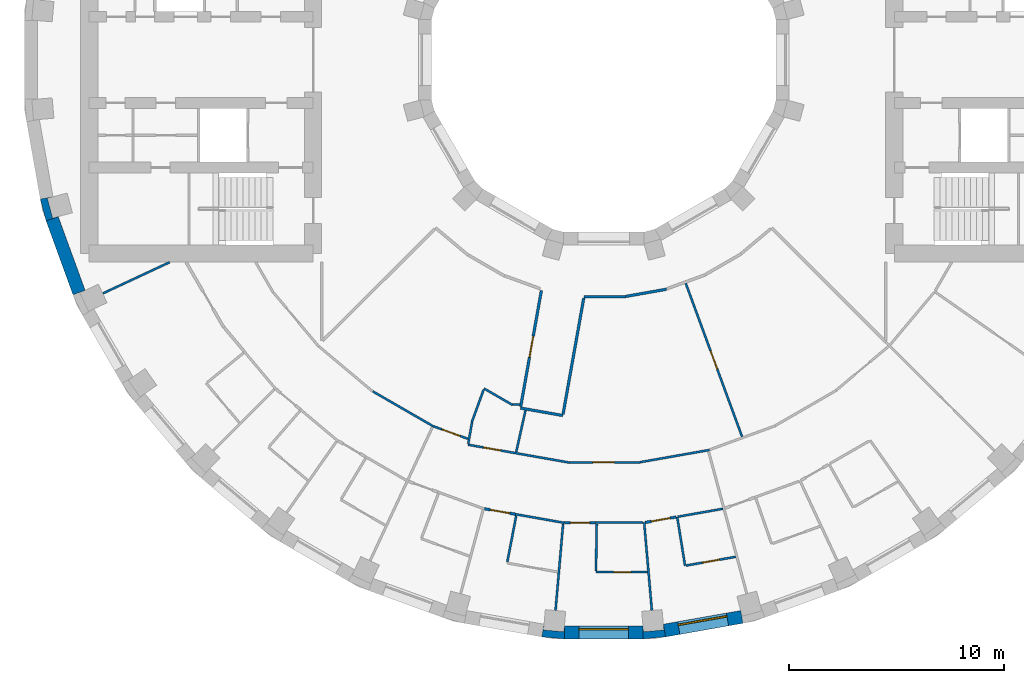
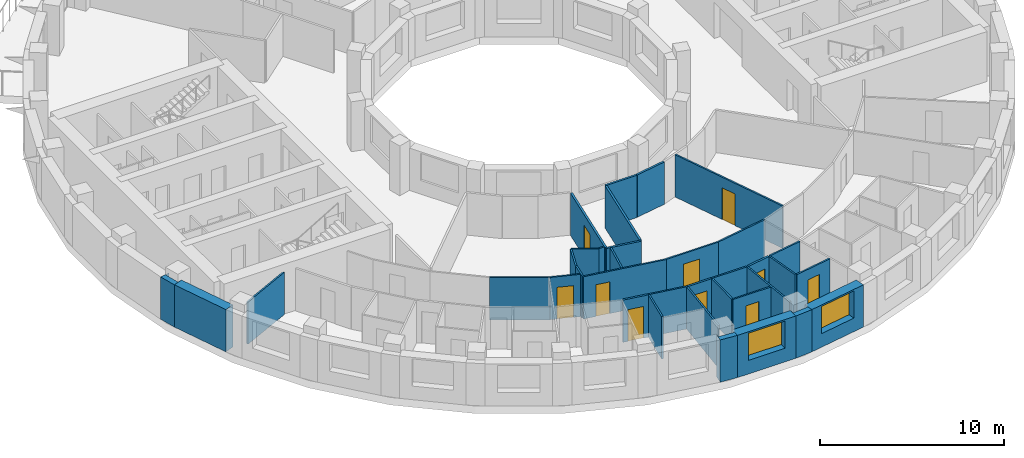
# One storey, part 5 of 14: 36 walls, 10 doors, 2 windows, 12 openings.
"""IFC4 building model written with IfcOpenShell, lengths in metres."""

from ifc_helpers import new_model, si_unit, direction, frame, frame_2d, origin, place, context, subcontext, project, spatial, polyline, rectangle, outline, extrude, material, layer, layer_set, type_object, element, fill, save


model = new_model("IFC4")

# Units and contexts
model_context = context("Model", 3, precision=1e-05, world=origin(), true_north=direction((0.0, 1.0)))
body_context = subcontext(model_context, "Body", "Model", "MODEL_VIEW")
ifc_project = project(units=[si_unit("LENGTHUNIT", "METRE"), si_unit("AREAUNIT", "SQUARE_METRE"), si_unit("VOLUMEUNIT", "CUBIC_METRE"), si_unit("PLANEANGLEUNIT", "RADIAN"), si_unit("MASSUNIT", "GRAM", prefix="KILO")], contexts=[model_context])

# Site, building, storey
site_placement = place(None, origin())
site = spatial("IfcSite", under=ifc_project, at=site_placement, CompositionType="ELEMENT")
building_placement = place(site_placement, origin())
building = spatial("IfcBuilding", under=site, at=building_placement, Name="Saqina Gate Tower", CompositionType="ELEMENT")
storey_placement = place(building_placement, frame((0.0, 0.0, 98.5)))
storey = spatial("IfcBuildingStorey", under=building, at=storey_placement, Name="L27", CompositionType="ELEMENT", Elevation=98.5)

# Walls
ifc_material_1 = material(Name="Brick masonry (buff)", Category="masonry")
wall_type_1 = type_object("IfcWallType", Name="BRICK PIER COPING BUFF", PredefinedType="SOLIDWALL", material=ifc_material_1)
wall_1_placement = place(storey_placement, origin())
element("IfcWall", 1, at=wall_1_placement, inside=storey, type_object=wall_type_1, Name="Pier cap L27 column 20", PredefinedType="SOLIDWALL", context=body_context, shape_type="SweptSolid", body=[
    extrude(outline(polyline([(-26.171875, -6.466796875), (-25.89892578125, -7.485595703125), (-25.335205078125, -7.2802734375), (-25.5947265625, -7.349853515625), (-25.8408203125, -6.43212890625), (-25.5810546875, -6.36279296875), (-26.171875, -6.466796875)])), origin(), (0.0, 0.0, 1.0), 2.800048828125),
])
wall_2_placement = place(storey_placement, origin())
element("IfcWall", 2, at=wall_2_placement, inside=storey, type_object=wall_type_1, Name="Pier cap L27 column 27", PredefinedType="SOLIDWALL", context=body_context, shape_type="SweptSolid", body=[
    extrude(outline(polyline([(-2.87451171875, -26.805419921875), (-1.823974609375, -26.897216796875), (-1.823974609375, -26.29736328125), (-1.847412109375, -26.565185546875), (-2.793701171875, -26.482421875), (-2.770263671875, -26.214599609375), (-2.87451171875, -26.805419921875)])), origin(), (0.0, 0.0, 1.0), 2.800048828125),
])
wall_3_placement = place(storey_placement, origin())
element("IfcWall", 3, at=wall_3_placement, inside=storey, type_object=wall_type_1, Name="Pier cap L27 column 28", PredefinedType="SOLIDWALL", context=body_context, shape_type="SweptSolid", body=[
    extrude(outline(polyline([(2.87451171875, -26.805419921875), (2.770263671875, -26.214599609375), (2.793701171875, -26.482421875), (1.847412109375, -26.565185546875), (1.823974609375, -26.29736328125), (1.823974609375, -26.897216796875), (2.87451171875, -26.805419921875)])), origin(), (0.0, 0.0, 1.0), 2.800048828125),
])

# Wall, opening, window
ifc_material_2 = material(Name="Brick masonry (buff)", Category="masonry")
ifc_layer_1 = layer(ifc_material_2, 0.60009765625)
ifc_layer_set_1 = layer_set([ifc_layer_1], Name="FW-BRICK-BUFF")
wall_type_2 = type_object("IfcWallType", Name="FW-BRICK-BUFF", PredefinedType="SOLIDWALL", material=ifc_layer_set_1)
wall_4_placement = place(storey_placement, frame((-1.823974609375, -26.59716796875, 0.0), z_axis=(0.0, 0.0, 1.0), x_axis=(1.0, 0.0, 0.0)))
wall_4 = element("IfcWall", 4, at=wall_4_placement, inside=storey, type_object=wall_type_2, Name="Facade wall L27 facet 27", PredefinedType="SOLIDWALL", context=body_context, shape_type="SweptSolid", body=[
    extrude(rectangle(XDim=3.64794921875, YDim=0.60009765625, at=frame_2d((1.823974609375, 0.0))), origin(), (0.0, 0.0, 1.0), 2.800048828125),
])
opening_1_placement = place(wall_4_placement, frame((0.673828125, 0.0, 0.89990234375)))
opening_1 = element("IfcOpeningElement", 5, at=opening_1_placement, cuts=wall_4, Name="Opening G07-W16", PredefinedType="OPENING", context=body_context, shape_type="SweptSolid", body=[
    extrude(rectangle(XDim=2.300048828125, YDim=1.800048828125, at=frame_2d((1.14990234375, 0.89990234375))), frame((0.0, 0.31201171875, 0.0), z_axis=(0.0, -1.0, 0.0), x_axis=(1.0, 0.0, 0.0)), (0.0, 0.0, 1.0), 0.6240234375),
])
ifc_material_3 = material(Name="Aluminium glazing", Category="aluminium")
window_type = type_object("IfcWindowType", Name="WN-B", PartitioningType="SINGLE_PANEL", PredefinedType="WINDOW", material=ifc_material_3)
window_1_placement = place(opening_1_placement, origin())
window_1 = element("IfcWindow", 6, at=window_1_placement, inside=storey, type_object=window_type, Name="Window L27 facet 27", OverallHeight=1.800048828125, OverallWidth=2.300048828125, PartitioningType="SINGLE_PANEL", PredefinedType="WINDOW", context=body_context, shape_type="SweptSolid", body=[
    extrude(rectangle(XDim=2.300048828125, YDim=1.800048828125, at=frame_2d((1.14990234375, 0.89990234375))), frame((0.0, 0.179931640625, 0.0), z_axis=(0.0, -1.0, 0.0), x_axis=(1.0, 0.0, 0.0)), (0.0, 0.0, 1.0), 0.06005859375),
])
fill(opening_1, window_1)

wall_5_placement = place(storey_placement, frame((2.822265625, -26.510009765625, 0.0), z_axis=(0.0, 0.0, 1.0), x_axis=(0.984803764455, 0.173670796382, 0.0)))
wall_5 = element("IfcWall", 7, at=wall_5_placement, inside=storey, type_object=wall_type_2, Name="Facade wall L27 facet 28", PredefinedType="SOLIDWALL", context=body_context, shape_type="SweptSolid", body=[
    extrude(rectangle(XDim=3.64794921875, YDim=0.60009765625, at=frame_2d((1.823974609375, 0.0))), origin(), (0.0, 0.0, 1.0), 2.800048828125),
])
opening_2_placement = place(wall_5_placement, frame((0.673828125, 0.0, 0.89990234375)))
opening_2 = element("IfcOpeningElement", 8, at=opening_2_placement, cuts=wall_5, Name="Opening G07-W17", PredefinedType="OPENING", context=body_context, shape_type="SweptSolid", body=[
    extrude(rectangle(XDim=2.300048828125, YDim=1.800048828125, at=frame_2d((1.14990234375, 0.89990234375))), frame((0.0, 0.31201171875, 0.0), z_axis=(0.0, -1.0, 0.0), x_axis=(1.0, 0.0, 0.0)), (0.0, 0.0, 1.0), 0.6240234375),
])
window_2_placement = place(opening_2_placement, origin())
window_2 = element("IfcWindow", 9, at=window_2_placement, inside=storey, type_object=window_type, Name="Window L27 facet 28", OverallHeight=1.800048828125, OverallWidth=2.300048828125, PartitioningType="SINGLE_PANEL", PredefinedType="WINDOW", context=body_context, shape_type="SweptSolid", body=[
    extrude(rectangle(XDim=2.300048828125, YDim=1.800048828125, at=frame_2d((1.14990234375, 0.89990234375))), frame((0.0, 0.179931640625, 0.0), z_axis=(0.0, -1.0, 0.0), x_axis=(1.0, 0.0, 0.0)), (0.0, 0.0, 1.0), 0.06005859375),
])
fill(opening_2, window_2)

# Walls
ifc_material_4 = material(Name="Glazed ceramic tile", Category="ceramic")
ifc_layer_2 = layer(ifc_material_4, 0.60009765625)
ifc_layer_set_2 = layer_set([ifc_layer_2], Name="FW-TILE")
wall_type_3 = type_object("IfcWallType", Name="FW-TILE", PredefinedType="SOLIDWALL", material=ifc_layer_set_2)
wall_6_placement = place(storey_placement, frame((-25.616943359375, -7.3828125, 0.0), z_axis=(0.0, 0.0, 1.0), x_axis=(0.341990236633, -0.939703505393, 0.0)))
element("IfcWall", 10, at=wall_6_placement, inside=storey, type_object=wall_type_3, Name="Facade wall L27 facet 20", PredefinedType="SOLIDWALL", context=body_context, shape_type="SweptSolid", body=[
    extrude(rectangle(XDim=3.64794921875, YDim=0.60009765625, at=frame_2d((1.823974609375, 0.0))), origin(), (0.0, 0.0, 1.0), 2.800048828125),
])
ifc_material_5 = material(Name="Gypsum board on steel studs, 100 mm", Category="steel")
ifc_layer_3 = layer(ifc_material_5, 0.10009765625)
ifc_layer_set_3 = layer_set([ifc_layer_3], Name="PARTITION 100")
wall_type_4 = type_object("IfcWallType", Name="PARTITION 100", PredefinedType="PARTITIONING", material=ifc_layer_set_3)
wall_7_placement = place(storey_placement, frame((1.881103515625, -21.4970703125, 0.0), z_axis=(0.0, 0.0, 1.0), x_axis=(0.087060211484, -0.996203051379, 0.0)))
element("IfcWall", 11, at=wall_7_placement, inside=storey, type_object=wall_type_4, Name="PARTITION PW3-02", PredefinedType="PARTITIONING", context=body_context, shape_type="SweptSolid", body=[
    extrude(rectangle(XDim=4.0859375, YDim=0.10009765625, at=frame_2d((2.04296875, 0.0))), origin(), (0.0, 0.0, 1.0), 2.800048828125),
])
wall_8_placement = place(storey_placement, frame((3.4140625, -21.22705078125, 0.0), z_axis=(0.0, 0.0, 1.0), x_axis=(0.15868179071, -0.987329777378, 0.0)))
element("IfcWall", 12, at=wall_8_placement, inside=storey, type_object=wall_type_4, Name="PARTITION PW3-03", PredefinedType="PARTITIONING", context=body_context, shape_type="SweptSolid", body=[
    extrude(rectangle(XDim=2.300048828125, YDim=0.10009765625, at=frame_2d((1.14990234375, 0.0))), origin(), (0.0, 0.0, 1.0), 2.800048828125),
])

# Wall, opening, door
wall_9_placement = place(storey_placement, frame((3.813232421875, -10.384521484375, 0.0), z_axis=(0.0, 0.0, 1.0), x_axis=(0.344746287393, -0.938695902478, 0.0)))
wall_9 = element("IfcWall", 13, at=wall_9_placement, inside=storey, type_object=wall_type_4, Name="PARTITION PW3-07", PredefinedType="PARTITIONING", context=body_context, shape_type="SweptSolid", body=[
    extrude(rectangle(XDim=7.586669921875, YDim=0.10009765625, at=frame_2d((3.79345703125, 0.0))), origin(), (0.0, 0.0, 1.0), 2.800048828125),
])
opening_3_placement = place(wall_9_placement, frame((3.336181640625, 0.0, 0.0)))
opening_3 = element("IfcOpeningElement", 14, at=opening_3_placement, cuts=wall_9, Name="Opening G07-D44", PredefinedType="OPENING", context=body_context, shape_type="SweptSolid", body=[
    extrude(rectangle(XDim=0.89990234375, YDim=2.10009765625, at=frame_2d((0.449951171875, 1.050048828125))), frame((0.0, 0.06201171875, 0.0), z_axis=(0.0, -1.0, 0.0), x_axis=(1.0, 0.0, 0.0)), (0.0, 0.0, 1.0), 0.1240234375),
])
ifc_material_6 = material(Name="Timber door leaf, 900 mm", Category="wood")
door_type_1 = type_object("IfcDoorType", Name="DOOR 900 TIMBER", OperationType="SINGLE_SWING_LEFT", PredefinedType="DOOR", material=ifc_material_6)
door_1_placement = place(opening_3_placement, origin())
door_1 = element("IfcDoor", 15, at=door_1_placement, inside=storey, type_object=door_type_1, Name="DOOR G07-D44", OperationType="SINGLE_SWING_LEFT", OverallHeight=2.10009765625, OverallWidth=0.89990234375, PredefinedType="DOOR", context=body_context, shape_type="SweptSolid", body=[
    extrude(rectangle(XDim=0.89990234375, YDim=2.10009765625, at=frame_2d((0.449951171875, 1.050048828125))), frame((0.0, 0.02490234375, 0.0), z_axis=(0.0, -1.0, 0.0), x_axis=(1.0, 0.0, 0.0)), (0.0, 0.0, 1.0), 0.050048828125),
])
fill(opening_3, door_1)

# Walls
wall_10_placement = place(storey_placement, frame((-10.72265625, -15.401123046875, 0.0), z_axis=(0.0, 0.0, 1.0), x_axis=(0.866002935623, -0.500038913978, 0.0)))
element("IfcWall", 16, at=wall_10_placement, inside=storey, type_object=wall_type_4, Name="PARTITION PW3-32", PredefinedType="PARTITIONING", context=body_context, shape_type="SweptSolid", body=[
    extrude(rectangle(XDim=3.272216796875, YDim=0.10009765625, at=frame_2d((1.63623046875, 0.0))), origin(), (0.0, 0.0, 1.0), 2.800048828125),
])
wall_11_placement = place(storey_placement, frame((-5.556884765625, -15.26708984375, 0.0), z_axis=(0.0, 0.0, 1.0), x_axis=(0.866084140742, -0.499898250802, 0.0)))
element("IfcWall", 17, at=wall_11_placement, inside=storey, type_object=wall_type_4, Name="PARTITION PW3-33", PredefinedType="PARTITIONING", context=body_context, shape_type="SweptSolid", body=[
    extrude(rectangle(XDim=1.522705078125, YDim=0.10009765625, at=frame_2d((0.76123046875, 0.0))), origin(), (0.0, 0.0, 1.0), 2.800048828125),
])

# Wall, opening, door
wall_12_placement = place(storey_placement, frame((-7.885986328125, -17.029052734375, 0.0), z_axis=(0.0, 0.0, 1.0), x_axis=(0.939806110693, -0.341708171258, 0.0)))
wall_12 = element("IfcWall", 18, at=wall_12_placement, inside=storey, type_object=wall_type_4, Name="PARTITION PW3-38", PredefinedType="PARTITIONING", context=body_context, shape_type="SweptSolid", body=[
    extrude(rectangle(XDim=1.685546875, YDim=0.10009765625, at=frame_2d((0.8427734375, 0.0))), origin(), (0.0, 0.0, 1.0), 2.800048828125),
])
opening_4_placement = place(wall_12_placement, frame((0.392578125, 0.0, 0.0)))
opening_4 = element("IfcOpeningElement", 19, at=opening_4_placement, cuts=wall_12, Name="Opening G07-D32", PredefinedType="OPENING", context=body_context, shape_type="SweptSolid", body=[
    extrude(rectangle(XDim=0.89990234375, YDim=2.10009765625, at=frame_2d((0.449951171875, 1.050048828125))), frame((0.0, 0.06201171875, 0.0), z_axis=(0.0, -1.0, 0.0), x_axis=(1.0, 0.0, 0.0)), (0.0, 0.0, 1.0), 0.1240234375),
])
door_2_placement = place(opening_4_placement, origin())
door_2 = element("IfcDoor", 20, at=door_2_placement, inside=storey, type_object=door_type_1, Name="DOOR G07-D32", OperationType="SINGLE_SWING_RIGHT", OverallHeight=2.10009765625, OverallWidth=0.89990234375, PredefinedType="DOOR", context=body_context, shape_type="SweptSolid", body=[
    extrude(rectangle(XDim=0.89990234375, YDim=2.10009765625, at=frame_2d((0.449951171875, 1.050048828125))), frame((0.0, 0.02490234375, 0.0), z_axis=(0.0, -1.0, 0.0), x_axis=(1.0, 0.0, 0.0)), (0.0, 0.0, 1.0), 0.050048828125),
])
fill(opening_4, door_2)

# Wall
wall_13_placement = place(storey_placement, frame((-4.101318359375, -21.105224609375, 0.0), z_axis=(0.0, 0.0, 1.0), x_axis=(0.984783558818, -0.173785333909, 0.0)))
element("IfcWall", 21, at=wall_13_placement, inside=storey, type_object=wall_type_4, Name="PARTITION PW3-45", PredefinedType="PARTITIONING", context=body_context, shape_type="SweptSolid", body=[
    extrude(rectangle(XDim=2.305419921875, YDim=0.10009765625, at=frame_2d((1.15283203125, 0.0))), origin(), (0.0, 0.0, 1.0), 2.800048828125),
])

# Wall, opening, door
wall_14_placement = place(storey_placement, frame((-6.300048828125, -17.8779296875, 0.0), z_axis=(0.0, 0.0, 1.0), x_axis=(0.984813837489, -0.173613667348, 0.0)))
wall_14 = element("IfcWall", 22, at=wall_14_placement, inside=storey, type_object=wall_type_4, Name="PARTITION PW3-46", PredefinedType="PARTITIONING", context=body_context, shape_type="SweptSolid", body=[
    extrude(rectangle(XDim=4.786865234375, YDim=0.10009765625, at=frame_2d((2.3935546875, 0.0))), origin(), (0.0, 0.0, 1.0), 2.800048828125),
])
opening_5_placement = place(wall_14_placement, frame((0.72900390625, 0.0, 0.0)))
opening_5 = element("IfcOpeningElement", 23, at=opening_5_placement, cuts=wall_14, Name="Opening G07-D34", PredefinedType="OPENING", context=body_context, shape_type="SweptSolid", body=[
    extrude(rectangle(XDim=0.800048828125, YDim=2.10009765625, at=frame_2d((0.39990234375, 1.050048828125))), frame((0.0, 0.06201171875, 0.0), z_axis=(0.0, -1.0, 0.0), x_axis=(1.0, 0.0, 0.0)), (0.0, 0.0, 1.0), 0.1240234375),
])
ifc_material_7 = material(Name="Timber door leaf, 800 mm", Category="wood")
door_type_2 = type_object("IfcDoorType", Name="DOOR 800 TIMBER", OperationType="SINGLE_SWING_LEFT", PredefinedType="DOOR", material=ifc_material_7)
door_3_placement = place(opening_5_placement, frame((0.800048828125, 0.0, 0.0), z_axis=(0.0, 0.0, 1.0), x_axis=(-1.0, 0.0, 0.0)))
door_3 = element("IfcDoor", 24, at=door_3_placement, inside=storey, type_object=door_type_2, Name="DOOR G07-D34", OperationType="SINGLE_SWING_RIGHT", OverallHeight=2.10009765625, OverallWidth=0.800048828125, PredefinedType="DOOR", context=body_context, shape_type="SweptSolid", body=[
    extrude(rectangle(XDim=0.800048828125, YDim=2.10009765625, at=frame_2d((0.39990234375, 1.050048828125))), frame((0.0, 0.02490234375, 0.0), z_axis=(0.0, -1.0, 0.0), x_axis=(1.0, 0.0, 0.0)), (0.0, 0.0, 1.0), 0.050048828125),
])
fill(opening_5, door_3)

wall_15_placement = place(storey_placement, frame((-0.35888671875, -23.797119140625, 0.0), z_axis=(0.0, 0.0, 1.0), x_axis=(1.0, 0.0, 0.0)))
wall_15 = element("IfcWall", 25, at=wall_15_placement, inside=storey, type_object=wall_type_4, Name="PARTITION PW3-50", PredefinedType="PARTITIONING", context=body_context, shape_type="SweptSolid", body=[
    extrude(rectangle(XDim=2.390869140625, YDim=0.10009765625, at=frame_2d((1.1953125, 0.0))), origin(), (0.0, 0.0, 1.0), 2.800048828125),
])
opening_6_placement = place(wall_15_placement, frame((0.820556640625, 0.0, 0.0)))
opening_6 = element("IfcOpeningElement", 26, at=opening_6_placement, cuts=wall_15, Name="Opening G07-D40", PredefinedType="OPENING", context=body_context, shape_type="SweptSolid", body=[
    extrude(rectangle(XDim=0.800048828125, YDim=2.10009765625, at=frame_2d((0.39990234375, 1.050048828125))), frame((0.0, 0.06201171875, 0.0), z_axis=(0.0, -1.0, 0.0), x_axis=(1.0, 0.0, 0.0)), (0.0, 0.0, 1.0), 0.1240234375),
])
door_4_placement = place(opening_6_placement, frame((0.800048828125, 0.0, 0.0), z_axis=(0.0, 0.0, 1.0), x_axis=(-1.0, 0.0, 0.0)))
door_4 = element("IfcDoor", 27, at=door_4_placement, inside=storey, type_object=door_type_2, Name="DOOR G07-D40", OperationType="SINGLE_SWING_LEFT", OverallHeight=2.10009765625, OverallWidth=0.800048828125, PredefinedType="DOOR", context=body_context, shape_type="SweptSolid", body=[
    extrude(rectangle(XDim=0.800048828125, YDim=2.10009765625, at=frame_2d((0.39990234375, 1.050048828125))), frame((0.0, 0.02490234375, 0.0), z_axis=(0.0, -1.0, 0.0), x_axis=(1.0, 0.0, 0.0)), (0.0, 0.0, 1.0), 0.050048828125),
])
fill(opening_6, door_4)

# Wall
wall_16_placement = place(storey_placement, frame((-0.3740234375, -21.4970703125, 0.0), z_axis=(0.0, 0.0, 1.0), x_axis=(1.0, 0.0, 0.0)))
element("IfcWall", 28, at=wall_16_placement, inside=storey, type_object=wall_type_4, Name="PARTITION PW3-51", PredefinedType="PARTITIONING", context=body_context, shape_type="SweptSolid", body=[
    extrude(rectangle(XDim=2.205078125, YDim=0.10009765625, at=frame_2d((1.1025390625, 0.0))), origin(), (0.0, 0.0, 1.0), 2.800048828125),
])

# Wall, opening, door
wall_17_placement = place(storey_placement, frame((-1.5859375, -18.698974609375, 0.0), z_axis=(0.0, 0.0, 1.0), x_axis=(1.0, 0.0, 0.0)))
wall_17 = element("IfcWall", 29, at=wall_17_placement, inside=storey, type_object=wall_type_4, Name="PARTITION PW3-52", PredefinedType="PARTITIONING", context=body_context, shape_type="SweptSolid", body=[
    extrude(rectangle(XDim=3.272705078125, YDim=0.10009765625, at=frame_2d((1.63623046875, 0.0))), origin(), (0.0, 0.0, 1.0), 2.800048828125),
])
opening_7_placement = place(wall_17_placement, frame((1.0859375, 0.0, 0.0)))
opening_7 = element("IfcOpeningElement", 30, at=opening_7_placement, cuts=wall_17, Name="Opening G07-D39", PredefinedType="OPENING", context=body_context, shape_type="SweptSolid", body=[
    extrude(rectangle(XDim=1.0, YDim=2.10009765625, at=frame_2d((0.5, 1.050048828125))), frame((0.0, 0.06201171875, 0.0), z_axis=(0.0, -1.0, 0.0), x_axis=(1.0, 0.0, 0.0)), (0.0, 0.0, 1.0), 0.1240234375),
])
ifc_material_8 = material(Name="Timber door leaf, 1000 mm", Category="wood")
door_type_3 = type_object("IfcDoorType", Name="DOOR 1000 TIMBER", OperationType="SINGLE_SWING_LEFT", PredefinedType="DOOR", material=ifc_material_8)
door_5_placement = place(opening_7_placement, origin())
door_5 = element("IfcDoor", 31, at=door_5_placement, inside=storey, type_object=door_type_3, Name="DOOR G07-D39", OperationType="SINGLE_SWING_LEFT", OverallHeight=2.10009765625, OverallWidth=1.0, PredefinedType="DOOR", context=body_context, shape_type="SweptSolid", body=[
    extrude(rectangle(XDim=1.0, YDim=2.10009765625, at=frame_2d((0.5, 1.050048828125))), frame((0.0, 0.02490234375, 0.0), z_axis=(0.0, -1.0, 0.0), x_axis=(1.0, 0.0, 0.0)), (0.0, 0.0, 1.0), 0.050048828125),
])
fill(opening_7, door_5)

# Wall
wall_18_placement = place(storey_placement, frame((-4.238037109375, -16.001953125, 0.0), z_axis=(0.0, 0.0, 1.0), x_axis=(1.0, 0.0, 0.0)))
element("IfcWall", 32, at=wall_18_placement, inside=storey, type_object=wall_type_4, Name="PARTITION PW3-53", PredefinedType="PARTITIONING", context=body_context, shape_type="SweptSolid", body=[
    extrude(rectangle(XDim=0.339111328125, YDim=0.10009765625, at=frame_2d((0.16943359375, 0.0))), origin(), (0.0, 0.0, 1.0), 2.800048828125),
])

# Wall, opening, door
wall_19_placement = place(storey_placement, frame((3.828125, -23.4892578125, 0.0), z_axis=(0.0, 0.0, 1.0), x_axis=(0.984811890041, 0.173624713778, 0.0)))
wall_19 = element("IfcWall", 33, at=wall_19_placement, inside=storey, type_object=wall_type_4, Name="PARTITION PW3-58", PredefinedType="PARTITIONING", context=body_context, shape_type="SweptSolid", body=[
    extrude(rectangle(XDim=2.34130859375, YDim=0.10009765625, at=frame_2d((1.170654296875, 0.0))), origin(), (0.0, 0.0, 1.0), 2.800048828125),
])
opening_8_placement = place(wall_19_placement, frame((0.7705078125, 0.0, 0.0)))
opening_8 = element("IfcOpeningElement", 34, at=opening_8_placement, cuts=wall_19, Name="Opening G07-D42", PredefinedType="OPENING", context=body_context, shape_type="SweptSolid", body=[
    extrude(rectangle(XDim=0.800048828125, YDim=2.10009765625, at=frame_2d((0.39990234375, 1.050048828125))), frame((0.0, 0.06201171875, 0.0), z_axis=(0.0, -1.0, 0.0), x_axis=(1.0, 0.0, 0.0)), (0.0, 0.0, 1.0), 0.1240234375),
])
door_6_placement = place(opening_8_placement, frame((0.800048828125, 0.0, 0.0), z_axis=(0.0, 0.0, 1.0), x_axis=(-1.0, 0.0, 0.0)))
door_6 = element("IfcDoor", 35, at=door_6_placement, inside=storey, type_object=door_type_2, Name="DOOR G07-D42", OperationType="SINGLE_SWING_LEFT", OverallHeight=2.10009765625, OverallWidth=0.800048828125, PredefinedType="DOOR", context=body_context, shape_type="SweptSolid", body=[
    extrude(rectangle(XDim=0.800048828125, YDim=2.10009765625, at=frame_2d((0.39990234375, 1.050048828125))), frame((0.0, 0.02490234375, 0.0), z_axis=(0.0, -1.0, 0.0), x_axis=(1.0, 0.0, 0.0)), (0.0, 0.0, 1.0), 0.050048828125),
])
fill(opening_8, door_6)

# Walls
wall_20_placement = place(storey_placement, frame((3.4462890625, -21.221435546875, 0.0), z_axis=(0.0, 0.0, 1.0), x_axis=(0.984788192249, 0.173759075753, 0.0)))
element("IfcWall", 36, at=wall_20_placement, inside=storey, type_object=wall_type_4, Name="PARTITION PW3-59", PredefinedType="PARTITIONING", context=body_context, shape_type="SweptSolid", body=[
    extrude(rectangle(XDim=2.12158203125, YDim=0.10009765625, at=frame_2d((1.060791015625, 0.0))), origin(), (0.0, 0.0, 1.0), 2.800048828125),
])
wall_21_placement = place(storey_placement, frame((1.685302734375, -18.6904296875, 0.0), z_axis=(0.0, 0.0, 1.0), x_axis=(0.984801579175, 0.1736831876, 0.0)))
element("IfcWall", 37, at=wall_21_placement, inside=storey, type_object=wall_type_4, Name="PARTITION PW3-60", PredefinedType="PARTITIONING", context=body_context, shape_type="SweptSolid", body=[
    extrude(rectangle(XDim=3.2724609375, YDim=0.10009765625, at=frame_2d((1.63623046875, 0.0))), origin(), (0.0, 0.0, 1.0), 2.800048828125),
])
wall_22_placement = place(storey_placement, frame((-23.260009765625, -10.84716796875, 0.0), z_axis=(0.0, 0.0, 1.0), x_axis=(0.906121146584, 0.423018282954, 0.0)))
element("IfcWall", 38, at=wall_22_placement, inside=storey, type_object=wall_type_4, Name="PARTITION PW3-70", PredefinedType="PARTITIONING", context=body_context, shape_type="SweptSolid", body=[
    extrude(rectangle(XDim=3.42138671875, YDim=0.10009765625, at=frame_2d((1.710693359375, 0.0))), origin(), (0.0, 0.0, 1.0), 2.800048828125),
])
wall_23_placement = place(storey_placement, frame((-6.123291015625, -16.82275390625, 0.0), z_axis=(0.0, 0.0, 1.0), x_axis=(0.342085762609, 0.939668734725, 0.0)))
element("IfcWall", 39, at=wall_23_placement, inside=storey, type_object=wall_type_4, Name="PARTITION PW3-94", PredefinedType="PARTITIONING", context=body_context, shape_type="SweptSolid", body=[
    extrude(rectangle(XDim=1.6015625, YDim=0.10009765625, at=frame_2d((0.80078125, 0.0))), origin(), (0.0, 0.0, 1.0), 2.800048828125),
])
wall_24_placement = place(storey_placement, frame((-4.065185546875, -18.22021484375, 0.0), z_axis=(0.0, 0.0, 1.0), x_axis=(0.218112956179, 0.975923530994, 0.0)))
element("IfcWall", 40, at=wall_24_placement, inside=storey, type_object=wall_type_4, Name="PARTITION PW3-97", PredefinedType="PARTITIONING", context=body_context, shape_type="SweptSolid", body=[
    extrude(rectangle(XDim=1.989013671875, YDim=0.10009765625, at=frame_2d((0.99462890625, 0.0))), origin(), (0.0, 0.0, 1.0), 2.800048828125),
])
wall_25_placement = place(storey_placement, frame((-4.4765625, -23.323974609375, 0.0), z_axis=(0.0, 0.0, 1.0), x_axis=(0.188685986474, 0.982037473067, 0.0)))
element("IfcWall", 41, at=wall_25_placement, inside=storey, type_object=wall_type_4, Name="PARTITION PW3-98", PredefinedType="PARTITIONING", context=body_context, shape_type="SweptSolid", body=[
    extrude(rectangle(XDim=2.18798828125, YDim=0.10009765625, at=frame_2d((1.093994140625, 0.0))), origin(), (0.0, 0.0, 1.0), 2.800048828125),
])
wall_26_placement = place(storey_placement, frame((-6.29150390625, -17.82763671875, 0.0), z_axis=(0.0, 0.0, 1.0), x_axis=(0.174455149241, 0.984665121198, 0.0)))
element("IfcWall", 42, at=wall_26_placement, inside=storey, type_object=wall_type_4, Name="PARTITION PW3-100", PredefinedType="PARTITIONING", context=body_context, shape_type="SweptSolid", body=[
    extrude(rectangle(XDim=1.018798828125, YDim=0.10009765625, at=frame_2d((0.50927734375, 0.0))), origin(), (0.0, 0.0, 1.0), 2.800048828125),
])
wall_27_placement = place(storey_placement, frame((-2.23681640625, -25.5673828125, 0.0), z_axis=(0.0, 0.0, 1.0), x_axis=(0.087137593131, 0.996196285811, 0.0)))
element("IfcWall", 43, at=wall_27_placement, inside=storey, type_object=wall_type_4, Name="PARTITION PW3-102", PredefinedType="PARTITIONING", context=body_context, shape_type="SweptSolid", body=[
    extrude(rectangle(XDim=4.0234375, YDim=0.10009765625, at=frame_2d((2.01171875, 0.0))), origin(), (0.0, 0.0, 1.0), 2.800048828125),
])
wall_28_placement = place(storey_placement, frame((-0.358154296875, -23.7470703125, 0.0), z_axis=(0.0, 0.0, 1.0), x_axis=(0.015176823242, 0.999884825386, 0.0)))
element("IfcWall", 44, at=wall_28_placement, inside=storey, type_object=wall_type_4, Name="PARTITION PW3-104", PredefinedType="PARTITIONING", context=body_context, shape_type="SweptSolid", body=[
    extrude(rectangle(XDim=2.187744140625, YDim=0.10009765625, at=frame_2d((1.09375, 0.0))), origin(), (0.0, 0.0, 1.0), 2.800048828125),
])

# Wall, opening, door
ifc_material_9 = material(Name="Gypsum board on steel studs, 125 mm, fire rated", Category="steel")
ifc_layer_4 = layer(ifc_material_9, 0.125)
ifc_layer_set_4 = layer_set([ifc_layer_4], Name="PARTITION EI 30 125")
wall_type_5 = type_object("IfcWallType", Name="PARTITION EI 30 125", PredefinedType="PARTITIONING", material=ifc_layer_set_4)
wall_29_placement = place(storey_placement, frame((-5.53564453125, -20.852783203125, 0.0), z_axis=(0.0, 0.0, 1.0), x_axis=(0.984862774054, -0.173335848233, 0.0)))
wall_29 = element("IfcWall", 45, at=wall_29_placement, inside=storey, type_object=wall_type_5, Name="PARTITION PW1-23", PredefinedType="PARTITIONING", context=body_context, shape_type="SweptSolid", body=[
    extrude(rectangle(XDim=1.456298828125, YDim=0.125, at=frame_2d((0.72802734375, 0.0))), origin(), (0.0, 0.0, 1.0), 2.800048828125),
])
opening_9_placement = place(wall_29_placement, frame((0.2783203125, 0.0, 0.0)))
opening_9 = element("IfcOpeningElement", 46, at=opening_9_placement, cuts=wall_29, Name="Opening G07-D36", PredefinedType="OPENING", context=body_context, shape_type="SweptSolid", body=[
    extrude(rectangle(XDim=0.89990234375, YDim=2.10009765625, at=frame_2d((0.449951171875, 1.050048828125))), frame((0.0, 0.074462890625, 0.0), z_axis=(0.0, -1.0, 0.0), x_axis=(1.0, 0.0, 0.0)), (0.0, 0.0, 1.0), 0.14892578125),
])
ifc_material_10 = material(Name="Fire door leaf EI 30, 900 mm")
door_type_4 = type_object("IfcDoorType", Name="DOOR 900 EI 30", OperationType="SINGLE_SWING_LEFT", PredefinedType="DOOR", material=ifc_material_10)
door_7_placement = place(opening_9_placement, origin())
door_7 = element("IfcDoor", 47, at=door_7_placement, inside=storey, type_object=door_type_4, Name="DOOR G07-D36", OperationType="SINGLE_SWING_LEFT", OverallHeight=2.10009765625, OverallWidth=0.89990234375, PredefinedType="DOOR", context=body_context, shape_type="SweptSolid", body=[
    extrude(rectangle(XDim=0.89990234375, YDim=2.10009765625, at=frame_2d((0.449951171875, 1.050048828125))), frame((0.0, 0.02490234375, 0.0), z_axis=(0.0, -1.0, 0.0), x_axis=(1.0, 0.0, 0.0)), (0.0, 0.0, 1.0), 0.050048828125),
])
fill(opening_9, door_7)

# Wall
wall_30_placement = place(storey_placement, frame((-3.866943359375, -16.174072265625, 0.0), z_axis=(0.0, 0.0, 1.0), x_axis=(0.984836400178, -0.173485633079, 0.0)))
element("IfcWall", 48, at=wall_30_placement, inside=storey, type_object=wall_type_5, Name="PARTITION PW1-24", PredefinedType="PARTITIONING", context=body_context, shape_type="SweptSolid", body=[
    extrude(rectangle(XDim=1.998291015625, YDim=0.125, at=frame_2d((0.9990234375, 0.0))), origin(), (0.0, 0.0, 1.0), 2.800048828125),
])

# Wall, opening, door
wall_31_placement = place(storey_placement, frame((-1.8310546875, -21.4970703125, 0.0), z_axis=(0.0, 0.0, 1.0), x_axis=(1.0, 0.0, 0.0)))
wall_31 = element("IfcWall", 49, at=wall_31_placement, inside=storey, type_object=wall_type_5, Name="PARTITION PW1-27", PredefinedType="PARTITIONING", context=body_context, shape_type="SweptSolid", body=[
    extrude(rectangle(XDim=1.45703125, YDim=0.125, at=frame_2d((0.728515625, 0.0))), origin(), (0.0, 0.0, 1.0), 2.800048828125),
])
opening_10_placement = place(wall_31_placement, frame((0.278564453125, 0.0, 0.0)))
opening_10 = element("IfcOpeningElement", 50, at=opening_10_placement, cuts=wall_31, Name="Opening G07-D38", PredefinedType="OPENING", context=body_context, shape_type="SweptSolid", body=[
    extrude(rectangle(XDim=0.89990234375, YDim=2.10009765625, at=frame_2d((0.449951171875, 1.050048828125))), frame((0.0, 0.074462890625, 0.0), z_axis=(0.0, -1.0, 0.0), x_axis=(1.0, 0.0, 0.0)), (0.0, 0.0, 1.0), 0.14892578125),
])
door_8_placement = place(opening_10_placement, origin())
door_8 = element("IfcDoor", 51, at=door_8_placement, inside=storey, type_object=door_type_4, Name="DOOR G07-D38", OperationType="SINGLE_SWING_LEFT", OverallHeight=2.10009765625, OverallWidth=0.89990234375, PredefinedType="DOOR", context=body_context, shape_type="SweptSolid", body=[
    extrude(rectangle(XDim=0.89990234375, YDim=2.10009765625, at=frame_2d((0.449951171875, 1.050048828125))), frame((0.0, 0.02490234375, 0.0), z_axis=(0.0, -1.0, 0.0), x_axis=(1.0, 0.0, 0.0)), (0.0, 0.0, 1.0), 0.050048828125),
])
fill(opening_10, door_8)

# Wall
wall_32_placement = place(storey_placement, frame((-0.924072265625, -11.0, 0.0), z_axis=(0.0, 0.0, 1.0), x_axis=(1.0, 0.0, 0.0)))
element("IfcWall", 52, at=wall_32_placement, inside=storey, type_object=wall_type_5, Name="PARTITION PW1-28", PredefinedType="PARTITIONING", context=body_context, shape_type="SweptSolid", body=[
    extrude(rectangle(XDim=1.949462890625, YDim=0.125, at=frame_2d((0.974609375, 0.0))), origin(), (0.0, 0.0, 1.0), 2.800048828125),
])

# Wall, opening, door
wall_33_placement = place(storey_placement, frame((1.93017578125, -21.48828125, 0.0), z_axis=(0.0, 0.0, 1.0), x_axis=(0.984839188687, 0.173469802636, 0.0)))
wall_33 = element("IfcWall", 53, at=wall_33_placement, inside=storey, type_object=wall_type_5, Name="PARTITION PW1-31", PredefinedType="PARTITIONING", context=body_context, shape_type="SweptSolid", body=[
    extrude(rectangle(XDim=1.45654296875, YDim=0.125, at=frame_2d((0.728271484375, 0.0))), origin(), (0.0, 0.0, 1.0), 2.800048828125),
])
opening_11_placement = place(wall_33_placement, frame((0.2783203125, 0.0, 0.0)))
opening_11 = element("IfcOpeningElement", 54, at=opening_11_placement, cuts=wall_33, Name="Opening G07-D41", PredefinedType="OPENING", context=body_context, shape_type="SweptSolid", body=[
    extrude(rectangle(XDim=0.89990234375, YDim=2.10009765625, at=frame_2d((0.449951171875, 1.050048828125))), frame((0.0, 0.074462890625, 0.0), z_axis=(0.0, -1.0, 0.0), x_axis=(1.0, 0.0, 0.0)), (0.0, 0.0, 1.0), 0.14892578125),
])
door_9_placement = place(opening_11_placement, origin())
door_9 = element("IfcDoor", 55, at=door_9_placement, inside=storey, type_object=door_type_4, Name="DOOR G07-D41", OperationType="SINGLE_SWING_LEFT", OverallHeight=2.10009765625, OverallWidth=0.89990234375, PredefinedType="DOOR", context=body_context, shape_type="SweptSolid", body=[
    extrude(rectangle(XDim=0.89990234375, YDim=2.10009765625, at=frame_2d((0.449951171875, 1.050048828125))), frame((0.0, 0.02490234375, 0.0), z_axis=(0.0, -1.0, 0.0), x_axis=(1.0, 0.0, 0.0)), (0.0, 0.0, 1.0), 0.050048828125),
])
fill(opening_11, door_9)

# Walls
wall_34_placement = place(storey_placement, frame((1.0234375, -10.9892578125, 0.0), z_axis=(0.0, 0.0, 1.0), x_axis=(0.98482691703, 0.173539458027, 0.0)))
element("IfcWall", 56, at=wall_34_placement, inside=storey, type_object=wall_type_5, Name="PARTITION PW1-32", PredefinedType="PARTITIONING", context=body_context, shape_type="SweptSolid", body=[
    extrude(rectangle(XDim=1.926025390625, YDim=0.125, at=frame_2d((0.962890625, 0.0))), origin(), (0.0, 0.0, 1.0), 2.800048828125),
])
wall_35_placement = place(storey_placement, frame((-1.887451171875, -16.45947265625, 0.0), z_axis=(0.0, 0.0, 1.0), x_axis=(0.175533190832, 0.984473513568, 0.0)))
element("IfcWall", 57, at=wall_35_placement, inside=storey, type_object=wall_type_5, Name="PARTITION PW1-47", PredefinedType="PARTITIONING", context=body_context, shape_type="SweptSolid", body=[
    extrude(rectangle(XDim=5.4814453125, YDim=0.125, at=frame_2d((2.74072265625, 0.0))), origin(), (0.0, 0.0, 1.0), 2.800048828125),
])

# Wall, opening, door
wall_36_placement = place(storey_placement, frame((-3.85595703125, -16.112548828125, 0.0), z_axis=(0.0, 0.0, 1.0), x_axis=(0.175360511149, 0.984504287004, 0.0)))
wall_36 = element("IfcWall", 58, at=wall_36_placement, inside=storey, type_object=wall_type_5, Name="PARTITION PW1-48", PredefinedType="PARTITIONING", context=body_context, shape_type="SweptSolid", body=[
    extrude(rectangle(XDim=5.481201171875, YDim=0.125, at=frame_2d((2.74072265625, 0.0))), origin(), (0.0, 0.0, 1.0), 2.800048828125),
])
opening_12_placement = place(wall_36_placement, frame((2.328857421875, 0.0, 0.0)))
opening_12 = element("IfcOpeningElement", 59, at=opening_12_placement, cuts=wall_36, Name="Opening G07-D35", PredefinedType="OPENING", context=body_context, shape_type="SweptSolid", body=[
    extrude(rectangle(XDim=1.0, YDim=2.10009765625, at=frame_2d((0.5, 1.050048828125))), frame((0.0, 0.074462890625, 0.0), z_axis=(0.0, -1.0, 0.0), x_axis=(1.0, 0.0, 0.0)), (0.0, 0.0, 1.0), 0.14892578125),
])
ifc_material_11 = material(Name="Fire door leaf EI 30, 1000 mm")
door_type_5 = type_object("IfcDoorType", Name="DOOR 1000 EI 30", OperationType="SINGLE_SWING_LEFT", PredefinedType="DOOR", material=ifc_material_11)
door_10_placement = place(opening_12_placement, origin())
door_10 = element("IfcDoor", 60, at=door_10_placement, inside=storey, type_object=door_type_5, Name="DOOR G07-D35", OperationType="SINGLE_SWING_RIGHT", OverallHeight=2.10009765625, OverallWidth=1.0, PredefinedType="DOOR", context=body_context, shape_type="SweptSolid", body=[
    extrude(rectangle(XDim=1.0, YDim=2.10009765625, at=frame_2d((0.5, 1.050048828125))), frame((0.0, 0.02490234375, 0.0), z_axis=(0.0, -1.0, 0.0), x_axis=(1.0, 0.0, 0.0)), (0.0, 0.0, 1.0), 0.050048828125),
])
fill(opening_12, door_10)

save(model, "model.ifc")
